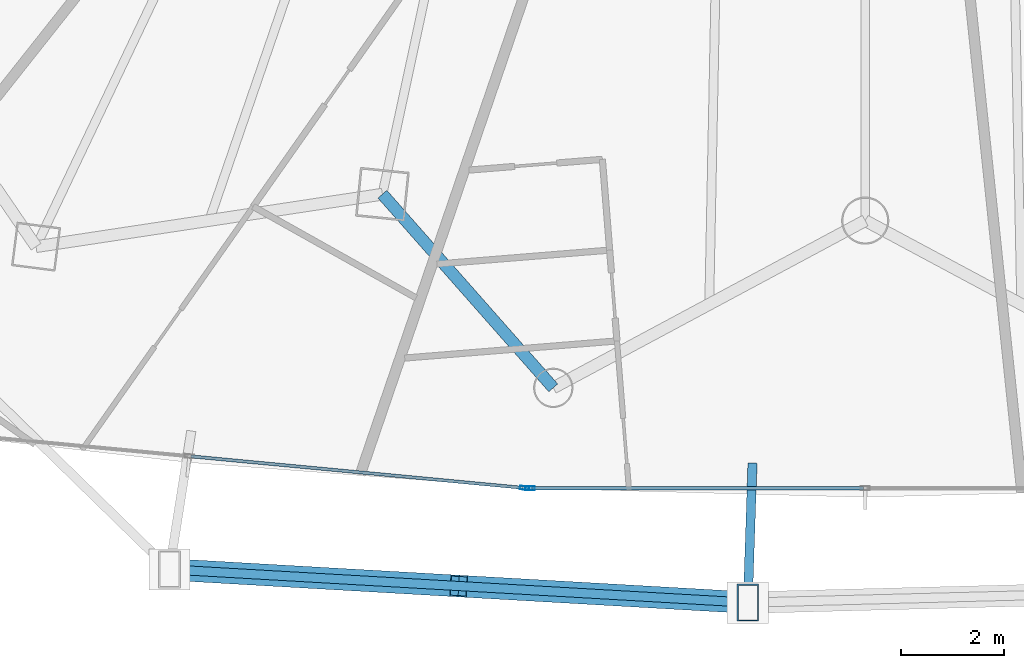
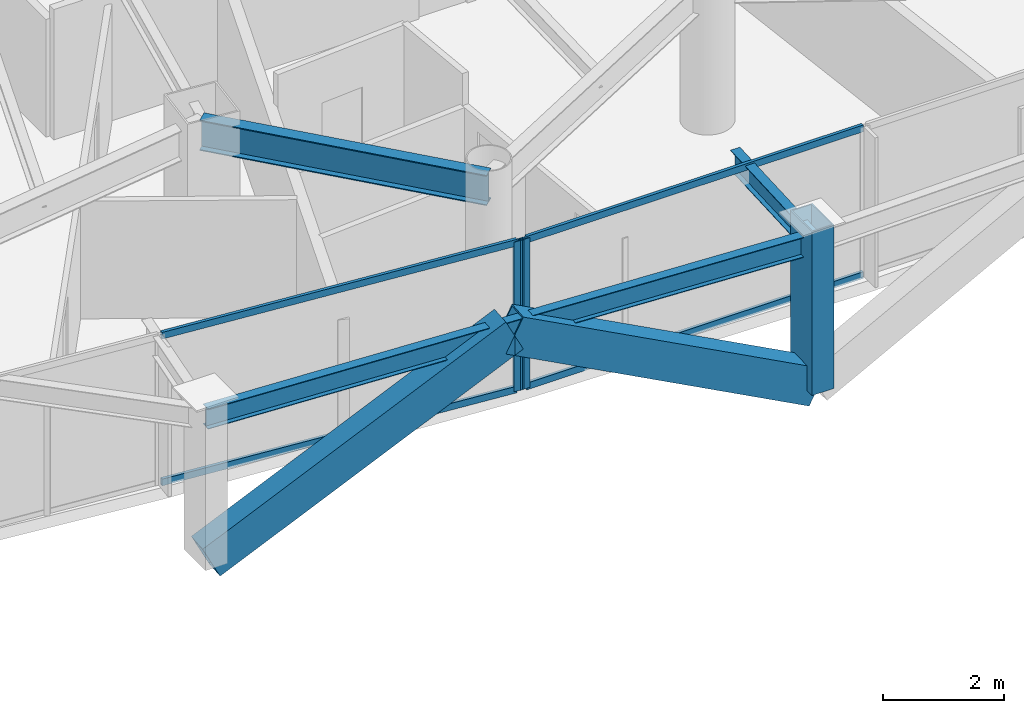
# One storey, part 6 of 38: 9 members, 3 beams, 2 elements without a shape of their own.
"""IFC4 building model written with IfcOpenShell, lengths in metres."""

import ifcopenshell
import ifcopenshell.guid

model = None  # the IFC model being written
_history = None  # IfcOwnerHistory: only IFC2X3 demands one
_inside = {}  # id of a spatial element -> (the spatial element, [elements in it])
_under = {}  # id of a project, library or spatial element -> (it, [spatial elements below it])
_declared = {}  # id of a project -> (the project, [libraries it declares])
_typed = {}  # id of a type object -> (the type object, [elements of that type])
_made_of = {}  # id of a material, layer set ... -> (it, [elements and type objects made of it])


def new_model(schema):
    """Start an empty IFC model of exactly this schema.

    Asked for "IFC4X3", IfcOpenShell would pick the latest addendum, in which some entities
    have other attributes; the version numbers below select the first issue.
    IFC2X3 requires an IfcOwnerHistory on every rooted entity: one is made here for all.
    """
    global model, _history
    if schema == "IFC4X3":
        model = ifcopenshell.file(schema_version=(4, 3, 0, 0))
    else:
        model = ifcopenshell.file(schema=schema)
    _inside.clear()
    _under.clear()
    _declared.clear()
    _typed.clear()
    _made_of.clear()
    _history = None
    if model.schema == "IFC2X3":
        org = make("IfcOrganization", Name="unknown")
        user = make(
            "IfcPersonAndOrganization",
            ThePerson=make("IfcPerson", FamilyName="unknown"),
            TheOrganization=org,
        )
        app = make(
            "IfcApplication",
            ApplicationDeveloper=org,
            Version="unknown",
            ApplicationFullName="unknown",
            ApplicationIdentifier="unknown",
        )
        _history = make(
            "IfcOwnerHistory",
            OwningUser=user,
            OwningApplication=app,
            ChangeAction="ADDED",
            CreationDate=0,
        )
    return model


def make(cls, **values):
    """One entity of the class cls with the attributes given. An attribute that is None is left unset."""
    return model.create_entity(
        cls, **{name: value for name, value in values.items() if value is not None}
    )


def rooted(cls, **values):
    """An entity with a GlobalId (a new one), such as an element, a storey or a relation."""
    return make(cls, GlobalId=ifcopenshell.guid.new(), OwnerHistory=_history, **values)


def si_unit(unit_type, name, prefix=None):
    """IfcSIUnit, for example si_unit("LENGTHUNIT", "METRE", prefix="MILLI")."""
    return make("IfcSIUnit", UnitType=unit_type, Prefix=prefix, Name=name)


def assignment(units):
    """IfcUnitAssignment: the units of a project."""
    return None if units is None else make("IfcUnitAssignment", Units=units)


def point(xyz):
    """IfcCartesianPoint."""
    return None if xyz is None else make("IfcCartesianPoint", Coordinates=xyz)


def direction(xyz):
    """IfcDirection."""
    return None if xyz is None else make("IfcDirection", DirectionRatios=xyz)


def frame(location, z_axis=None, x_axis=None):
    """IfcAxis2Placement3D, a coordinate frame: its origin and axes. An axis left out is left unset."""
    return make(
        "IfcAxis2Placement3D",
        Location=point(location),
        Axis=direction(z_axis),
        RefDirection=direction(x_axis),
    )


def frame_2d(location, x_axis=None):
    """IfcAxis2Placement2D, a coordinate frame in the plane: its origin and x axis."""
    return make(
        "IfcAxis2Placement2D", Location=point(location), RefDirection=direction(x_axis)
    )


def origin():
    """The frame at (0, 0, 0) with its axes left unset."""
    return frame((0.0, 0.0, 0.0))


def origin_2d():
    """The frame at (0, 0) in the plane with its x axis left unset."""
    return frame_2d((0.0, 0.0))


def place(relative_to, where):
    """IfcLocalPlacement: puts the frame where relative to a parent placement (None: the world)."""
    return make(
        "IfcLocalPlacement", PlacementRelTo=relative_to, RelativePlacement=where
    )


def context(
    kind, dimensions, precision=None, world=None, true_north=None, identifier=None
):
    """IfcGeometricRepresentationContext, for example the 3D "Model" context."""
    return make(
        "IfcGeometricRepresentationContext",
        ContextIdentifier=identifier,
        ContextType=kind,
        CoordinateSpaceDimension=dimensions,
        Precision=precision,
        WorldCoordinateSystem=world,
        TrueNorth=true_north,
    )


def subcontext(parent, identifier, kind, view, scale=None):
    """IfcGeometricRepresentationSubContext, for example "Body" below "Model"."""
    return make(
        "IfcGeometricRepresentationSubContext",
        ContextIdentifier=identifier,
        ContextType=kind,
        ParentContext=parent,
        TargetScale=scale,
        TargetView=view,
    )


def project(units=None, contexts=None):
    """IfcProject with its units and contexts."""
    return rooted(
        "IfcProject",
        Name="project",
        RepresentationContexts=contexts,
        UnitsInContext=assignment(units),
    )


def spatial(cls, under=None, at=None, **own):
    """A site, building, storey or space (cls), placed at a placement, below another one or the project."""
    s = rooted(cls, ObjectPlacement=at, **own)
    if under is not None:
        _under.setdefault(under.id(), (under, []))[1].append(s)
    return s


def profile(cls, at=None, kind="AREA", **sizes):
    """A parametric profile (cls). Its sizes go by their IFC names, for example OverallWidth=200.0."""
    return make(cls, ProfileType=kind, Position=at, **sizes)


def hollow_rectangle(**sizes):
    """IfcRectangleHollowProfileDef."""
    return profile("IfcRectangleHollowProfileDef", **sizes)


def i_section(**sizes):
    """IfcIShapeProfileDef."""
    return profile("IfcIShapeProfileDef", **sizes)


def extrude(swept, where, along, depth):
    """IfcExtrudedAreaSolid: the profile swept, set in the frame where, extruded along a direction by depth."""
    return make(
        "IfcExtrudedAreaSolid",
        SweptArea=swept,
        Position=where,
        ExtrudedDirection=direction(along),
        Depth=depth,
    )


def shape(context_of_items, identifier, shape_type, items):
    """IfcShapeRepresentation: the items that make up one representation, for example the "Body"."""
    return make(
        "IfcShapeRepresentation",
        ContextOfItems=context_of_items,
        RepresentationIdentifier=identifier,
        RepresentationType=shape_type,
        Items=items,
    )


def material(Name=None, Category=None):
    """IfcMaterial."""
    return make("IfcMaterial", Name=Name, Category=Category)


def layer(
    of_material, thickness, ventilated=None, Name=None, Category=None, Priority=None
):
    """IfcMaterialLayer: one layer of a wall or slab, of a material (None: an air gap)."""
    return make(
        "IfcMaterialLayer",
        Material=of_material,
        LayerThickness=thickness,
        IsVentilated=ventilated,
        Name=Name,
        Category=Category,
        Priority=Priority,
    )


def layer_set(layers, Name=None):
    """IfcMaterialLayerSet."""
    return make("IfcMaterialLayerSet", MaterialLayers=layers, LayerSetName=Name)


def material_profile(
    of_material, cross_section, Name=None, Category=None, Priority=None
):
    """IfcMaterialProfile: a cross section and its material."""
    return make(
        "IfcMaterialProfile",
        Name=Name,
        Material=of_material,
        Profile=cross_section,
        Priority=Priority,
        Category=Category,
    )


def profile_set(profiles, Name=None, composite=None):
    """IfcMaterialProfileSet."""
    return make(
        "IfcMaterialProfileSet",
        Name=Name,
        MaterialProfiles=profiles,
        CompositeProfile=composite,
    )


def made_of(thing, what):
    """Note that an element or type object is made of a material, layer set ...; save() writes the relation."""
    if what is not None:
        _made_of.setdefault(what.id(), (what, []))[1].append(thing)
    return thing


def type_object(cls, material=None, **own):
    """A type object (cls), such as IfcWallType, which elements share."""
    return made_of(rooted(cls, **own), material)


def element(
    cls,
    number,
    at=None,
    inside=None,
    cuts=None,
    type_object=None,
    material=None,
    context=None,
    identifier="Body",
    shape_type=None,
    held_by="IfcProductDefinitionShape",
    body=None,
    shapes=None,
    **own,
):
    """One element of the class cls, such as IfcWall. Its Tag is "e" and its number.

    at: its placement. inside: the storey or other place that contains it. cuts: it is an
    opening in that element (IfcRelVoidsElement). A single representation is given by context,
    identifier, shape_type and body (its items); several are given by shapes. held_by: the class
    of the entity that holds the representations. save() writes the other relations.
    """
    e = rooted(cls, Tag="e%d" % number, ObjectPlacement=at, **own)
    if body is not None:
        shapes = [shape(context, identifier, shape_type, body)]
    if shapes is not None:
        e.Representation = make(held_by, Representations=shapes)
    if inside is not None:
        _inside.setdefault(inside.id(), (inside, []))[1].append(e)
    if cuts is not None:
        rooted(
            "IfcRelVoidsElement", RelatingBuildingElement=cuts, RelatedOpeningElement=e
        )
    if type_object is not None:
        _typed.setdefault(type_object.id(), (type_object, []))[1].append(e)
    return made_of(e, material)


def aggregate(whole, parts):
    """IfcRelAggregates: a whole, such as a stair, and the parts it consists of."""
    return rooted("IfcRelAggregates", RelatingObject=whole, RelatedObjects=parts)


def save(model, path):
    """Write the relations noted so far, then the file.

    IfcRelAggregates (storeys below a building ...), IfcRelContainedInSpatialStructure (elements
    in a storey), IfcRelDefinesByType, IfcRelAssociatesMaterial and IfcRelDeclares: one each for
    every whole, place, type object, material and project.
    """
    for whole, parts in _under.values():
        aggregate(whole, parts)
    for where, things in _inside.values():
        rooted(
            "IfcRelContainedInSpatialStructure",
            RelatedElements=things,
            RelatingStructure=where,
        )
    for kind, things in _typed.values():
        rooted("IfcRelDefinesByType", RelatedObjects=things, RelatingType=kind)
    for what, things in _made_of.values():
        rooted("IfcRelAssociatesMaterial", RelatedObjects=things, RelatingMaterial=what)
    for by, libraries in _declared.values():
        rooted("IfcRelDeclares", RelatingContext=by, RelatedDefinitions=libraries)
    model.write(path)


model = new_model("IFC4")

# Units and contexts
model_context = context("Model", 3, precision=1e-05, world=origin(), true_north=direction((0.0, 1.0)))
body_context = subcontext(model_context, "Body", "Model", "MODEL_VIEW")
ifc_project = project(units=[si_unit("LENGTHUNIT", "METRE"), si_unit("AREAUNIT", "SQUARE_METRE"), si_unit("VOLUMEUNIT", "CUBIC_METRE"), si_unit("PLANEANGLEUNIT", "RADIAN"), si_unit("MASSUNIT", "GRAM", prefix="KILO")], contexts=[model_context])

# Site, building, storey
site_placement = place(None, origin())
site = spatial("IfcSite", under=ifc_project, at=site_placement, CompositionType="ELEMENT")
building_placement = place(site_placement, origin())
building = spatial("IfcBuilding", under=site, at=building_placement, Name="Orvanel Arch Residences", CompositionType="ELEMENT")
storey_placement = place(building_placement, frame((0.0, 0.0, 56.60009765625)))
storey = spatial("IfcBuildingStorey", under=building, at=storey_placement, Name="L15", CompositionType="ELEMENT", Elevation=56.60009765625)

# Members
ifc_material_1 = material(Name="Structural steel AS/NZS 3678 Grade 350", Category="steel")
ifc_material_profile_1 = material_profile(ifc_material_1, hollow_rectangle(XDim=0.419921875, YDim=0.719970703125, WallThickness=0.02490234375, at=origin_2d()), Name="RHS720x420x25")
ifc_profile_set_1 = profile_set([ifc_material_profile_1], Name="Structural steel AS/NZS 3678 Grade 350")
member_type_1 = type_object("IfcMemberType", Name="BR-720RHS-EXT", PredefinedType="BRACE", material=ifc_profile_set_1)
for number, where, z_axis, x_axis, name in (
    (1, (19.52587890625, 0.087890625, 0.0), (0.892175071173, -0.051263699704, 0.448771295283), (0.057364619497, 0.998353294395, 0.0), "L15 Exterior Sky-Garden V-Frame Chevron F2B1.1"),
    (2, (30.72607421875, -0.554931640625, 0.0), (-0.892180401885, 0.051147320101, 0.448773976674), (-0.057234475737, -0.998360763846, 0.0), "L15 Exterior Sky-Garden V-Frame Chevron F2B1.2"),
):
    element("IfcMember", number, at=place(storey_placement, frame(where, z_axis=z_axis, x_axis=x_axis)), inside=storey, type_object=member_type_1, Name=name, PredefinedType="BRACE", context=body_context, shape_type="SweptSolid", body=[
        extrude(hollow_rectangle(XDim=0.419921875, YDim=0.719970703125, WallThickness=0.02490234375, at=origin_2d()), origin(), (0.0, 0.0, 1.0), 6.27685546875),
    ])
ifc_material_profile_2 = material_profile(ifc_material_1, hollow_rectangle(XDim=0.419921875, YDim=0.719970703125, WallThickness=0.02490234375, at=origin_2d()), Name="RHS720x420x25")
ifc_profile_set_2 = profile_set([ifc_material_profile_2], Name="Structural steel AS/NZS 3678 Grade 350")
member_type_2 = type_object("IfcMemberType", Name="CH-720RHS-EXT", PredefinedType="CHORD", material=ifc_profile_set_2)
member_1_placement = place(storey_placement, frame((30.72607421875, -0.554931640625, 0.0), z_axis=(0.0, 0.0, 1.0), x_axis=(1.0, 0.0, 0.0)))
element("IfcMember", 3, at=member_1_placement, inside=storey, type_object=member_type_2, Name="L15 Outer Perimeter Frame Post 06", PredefinedType="CHORD", context=body_context, shape_type="SweptSolid", body=[
    extrude(hollow_rectangle(XDim=0.419921875, YDim=0.719970703125, WallThickness=0.02490234375, at=origin_2d()), origin(), (0.0, 0.0, 1.0), 3.2998046875),
])

# Curtain wall, member
ifc_material_2 = material(Name="Bronze-anodised aluminium AA6063-T6", Category="aluminium")
ifc_layer = layer(ifc_material_2, 0.179931640625)
ifc_layer_set = layer_set([ifc_layer], Name="Bronze-anodised aluminium AA6063-T6")
curtain_wall_type = type_object("IfcCurtainWallType", Name="CW2-LOW-SYS", PredefinedType="NOTDEFINED", material=ifc_layer_set)
curtain_wall_1_placement = place(storey_placement, origin())
curtain_wall_1 = element("IfcCurtainWall", 4, at=curtain_wall_1_placement, inside=storey, type_object=curtain_wall_type, Name="L15 CW2-LOW-SYS Unitised Curtain Wall", PredefinedType="NOTDEFINED")
ifc_material_profile_3 = material_profile(ifc_material_2, hollow_rectangle(XDim=0.070068359375, YDim=0.179931640625, WallThickness=0.00439453125, at=origin_2d()), Name="ALU180x70x4.5")
ifc_profile_set_3 = profile_set([ifc_material_profile_3], Name="Bronze-anodised aluminium AA6063-T6")
member_type_3 = type_object("IfcMemberType", Name="MUL-180x70", PredefinedType="MULLION", material=ifc_profile_set_3)
member_2_placement = place(storey_placement, frame((26.400146484375, 1.665283203125, 0.0), z_axis=(0.0, 0.0, 1.0), x_axis=(0.094434713682, 0.995531056699, 0.0)))
member_2 = element("IfcMember", 5, at=member_2_placement, type_object=member_type_3, Name="CW-S2 mullion 3", PredefinedType="MULLION", context=body_context, shape_type="SweptSolid", body=[
    extrude(hollow_rectangle(XDim=0.070068359375, YDim=0.179931640625, WallThickness=0.00439453125, at=origin_2d()), origin(), (0.0, 0.0, 1.0), 3.02001953125),
])

curtain_wall_2_placement = place(storey_placement, origin())
curtain_wall_2 = element("IfcCurtainWall", 6, at=curtain_wall_2_placement, inside=storey, type_object=curtain_wall_type, Name="L15 CW2-LOW-SYS Unitised Curtain Wall", PredefinedType="NOTDEFINED")
member_3_placement = place(storey_placement, frame((26.510009765625, 1.659912109375, 0.0), z_axis=(0.0, 0.0, 1.0), x_axis=(0.0, 1.0, 0.0)))
member_3 = element("IfcMember", 7, at=member_3_placement, type_object=member_type_3, Name="CW-S2 mullion 1", PredefinedType="MULLION", context=body_context, shape_type="SweptSolid", body=[
    extrude(hollow_rectangle(XDim=0.070068359375, YDim=0.179931640625, WallThickness=0.00439453125, at=origin_2d()), origin(), (0.0, 0.0, 1.0), 3.02001953125),
])

# Beams
ifc_material_3 = material(Name="Structural steel AS/NZS 3679.1 Grade 300 (300 MPa)", Category="steel")
ifc_material_profile_4 = material_profile(ifc_material_3, i_section(OverallWidth=0.177978515625, OverallDepth=0.406005859375, WebThickness=0.0078125, FlangeThickness=0.0126953125, at=origin_2d()), Name="410UB59.7")
ifc_profile_set_4 = profile_set([ifc_material_profile_4], Name="Structural steel AS/NZS 3679.1 Grade 300 (300 MPa)")
beam_type_1 = type_object("IfcBeamType", Name="OB-410UB-EXT", PredefinedType="SPANDREL", material=ifc_profile_set_4)
beam_1_placement = place(storey_placement, frame((19.52587890625, 0.087890625, 2.81689453125), z_axis=(0.998357031227, -0.057299547982, 0.0), x_axis=(0.057299547982, 0.998357031227, 0.0)))
element("IfcBeam", 8, at=beam_1_placement, inside=storey, type_object=beam_type_1, Name="L15 Outer Perimeter Floor Ring Beam 05", PredefinedType="SPANDREL", context=body_context, shape_type="SweptSolid", body=[
    extrude(i_section(OverallWidth=0.177978515625, OverallDepth=0.406005859375, WebThickness=0.0078125, FlangeThickness=0.0126953125, at=origin_2d()), origin(), (0.0, 0.0, 1.0), 11.218505859375),
])
beam_2_placement = place(storey_placement, frame((30.81689453125, 2.14697265625, 2.81689453125), z_axis=(-0.033594472148, -0.999435546417, 0.0), x_axis=(0.999435546417, -0.033594472148, 0.0)))
element("IfcBeam", 9, at=beam_2_placement, inside=storey, type_object=beam_type_1, Name="L15 Outer Frame Radial Tie Beam 06", PredefinedType="SPANDREL", context=body_context, shape_type="SweptSolid", body=[
    extrude(i_section(OverallWidth=0.177978515625, OverallDepth=0.406005859375, WebThickness=0.0078125, FlangeThickness=0.0126953125, at=origin_2d()), origin(), (0.0, 0.0, 1.0), 2.703369140625),
])
ifc_material_profile_5 = material_profile(ifc_material_3, i_section(OverallWidth=0.22900390625, OverallDepth=0.612060546875, WebThickness=0.011962890625, FlangeThickness=0.01953125, at=origin_2d()), Name="610UB125")
ifc_profile_set_5 = profile_set([ifc_material_profile_5], Name="Structural steel AS/NZS 3679.1 Grade 300 (300 MPa)")
beam_type_2 = type_object("IfcBeamType", Name="SP-610UB", PredefinedType="SPANDREL", material=ifc_profile_set_5)
beam_3_placement = place(storey_placement, frame((23.64892578125, 7.35498046875, 2.7138671875), z_axis=(0.661650698195, -0.749812212209, 0.0), x_axis=(0.749812212209, 0.661650698195, 0.0)))
element("IfcBeam", 10, at=beam_3_placement, inside=storey, type_object=beam_type_2, Name="L15 Perimeter Spandrel Beam 05", PredefinedType="SPANDREL", context=body_context, shape_type="SweptSolid", body=[
    extrude(i_section(OverallWidth=0.22900390625, OverallDepth=0.612060546875, WebThickness=0.011962890625, FlangeThickness=0.01953125, at=origin_2d()), origin(), (0.0, 0.0, 1.0), 5.001220703125),
])

# Member
ifc_material_profile_6 = material_profile(ifc_material_2, hollow_rectangle(XDim=0.06005859375, YDim=0.135009765625, WallThickness=0.00390625, at=origin_2d()), Name="ALU135x60x4")
ifc_profile_set_6 = profile_set([ifc_material_profile_6], Name="Bronze-anodised aluminium AA6063-T6")
member_type_4 = type_object("IfcMemberType", Name="TRN-135x60", PredefinedType="USERDEFINED", material=ifc_profile_set_6)
member_4_placement = place(storey_placement, frame((19.9443359375, 2.277587890625, 0.02978515625), z_axis=(0.995533839173, -0.094405376232, 0.0), x_axis=(0.094405376232, 0.995533839173, 0.0)))
member_4 = element("IfcMember", 11, at=member_4_placement, type_object=member_type_4, Name="CW-S2 transom 2.1", ObjectType="TRANSOM", PredefinedType="USERDEFINED", context=body_context, shape_type="SweptSolid", body=[
    extrude(hollow_rectangle(XDim=0.06005859375, YDim=0.135009765625, WallThickness=0.00390625, at=origin_2d()), origin(), (0.0, 0.0, 1.0), 6.44970703125),
])

member_5_placement = place(storey_placement, frame((19.9443359375, 2.277587890625, 2.989990234375), z_axis=(0.995533839173, -0.094405376232, 0.0), x_axis=(0.094405376232, 0.995533839173, 0.0)))
member_5 = element("IfcMember", 12, at=member_5_placement, type_object=member_type_4, Name="CW-S2 transom 2.2", ObjectType="TRANSOM", PredefinedType="USERDEFINED", context=body_context, shape_type="SweptSolid", body=[
    extrude(hollow_rectangle(XDim=0.06005859375, YDim=0.135009765625, WallThickness=0.00390625, at=origin_2d()), origin(), (0.0, 0.0, 1.0), 6.44970703125),
])

aggregate(curtain_wall_1, [member_2, member_4, member_5])

member_6_placement = place(storey_placement, frame((26.544921875, 1.659912109375, 0.02978515625), z_axis=(1.0, 0.0, 0.0), x_axis=(0.0, 1.0, 0.0)))
member_6 = element("IfcMember", 13, at=member_6_placement, type_object=member_type_4, Name="CW-S2 transom 1.1", ObjectType="TRANSOM", PredefinedType="USERDEFINED", context=body_context, shape_type="SweptSolid", body=[
    extrude(hollow_rectangle(XDim=0.06005859375, YDim=0.135009765625, WallThickness=0.00390625, at=origin_2d()), origin(), (0.0, 0.0, 1.0), 6.420166015625),
])

member_7_placement = place(storey_placement, frame((26.544921875, 1.659912109375, 2.989990234375), z_axis=(1.0, 0.0, 0.0), x_axis=(0.0, 1.0, 0.0)))
member_7 = element("IfcMember", 14, at=member_7_placement, type_object=member_type_4, Name="CW-S2 transom 1.2", ObjectType="TRANSOM", PredefinedType="USERDEFINED", context=body_context, shape_type="SweptSolid", body=[
    extrude(hollow_rectangle(XDim=0.06005859375, YDim=0.135009765625, WallThickness=0.00390625, at=origin_2d()), origin(), (0.0, 0.0, 1.0), 6.420166015625),
])

aggregate(curtain_wall_2, [member_3, member_6, member_7])

save(model, "model.ifc")
